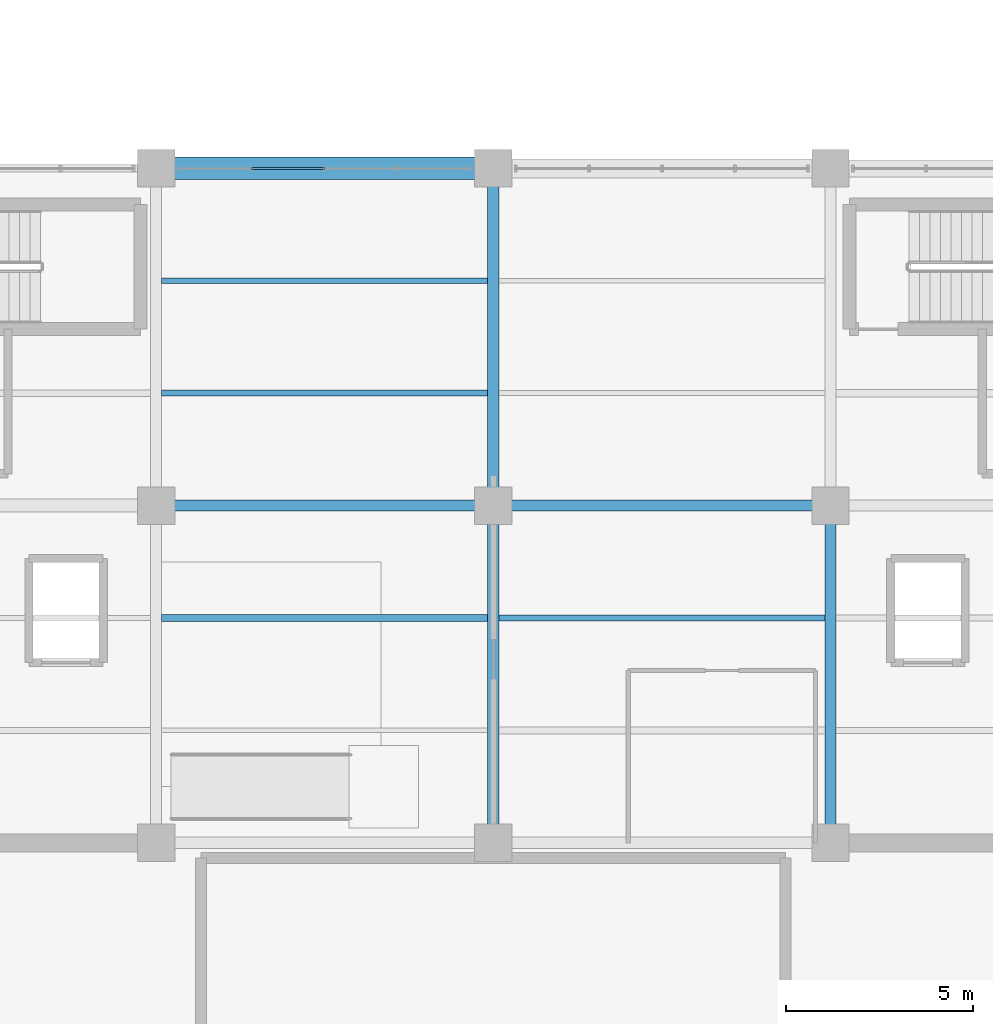
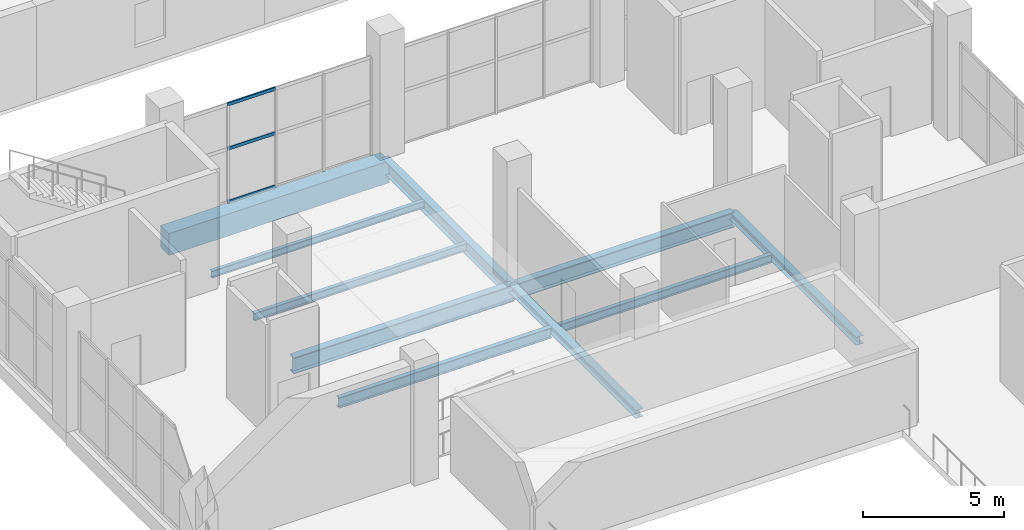
# One storey, part 52 of 147: 10 beams, 3 members, 1 element without a shape of its own.
"""IFC4 building model written with IfcOpenShell, lengths in metres."""

from ifc_helpers import new_model, si_unit, direction, frame, origin, origin_2d, place, context, subcontext, project, spatial, rectangle, hollow_rectangle, i_section, extrude, material, layer, layer_set, material_profile, profile_set, type_object, element, aggregate, save


model = new_model("IFC4")

# Units and contexts
model_context = context("Model", 3, precision=1e-05, world=origin(), true_north=direction((0.0, 1.0)))
body_context = subcontext(model_context, "Body", "Model", "MODEL_VIEW")
ifc_project = project(units=[si_unit("LENGTHUNIT", "METRE"), si_unit("AREAUNIT", "SQUARE_METRE"), si_unit("VOLUMEUNIT", "CUBIC_METRE"), si_unit("PLANEANGLEUNIT", "RADIAN"), si_unit("MASSUNIT", "GRAM", prefix="KILO")], contexts=[model_context])

# Site, building, storey
site_placement = place(None, origin())
site = spatial("IfcSite", under=ifc_project, at=site_placement, CompositionType="ELEMENT")
building_placement = place(site_placement, origin())
building = spatial("IfcBuilding", under=site, at=building_placement, Name="Sundgate Opera House", CompositionType="ELEMENT")
storey_placement = place(building_placement, frame((0.0, 0.0, 6.0)))
storey = spatial("IfcBuildingStorey", under=building, at=storey_placement, Name="L01", CompositionType="ELEMENT", Elevation=6.0)

# Beams
ifc_material_1 = material(Name="Steel S355J2", Category="steel")
ifc_material_profile_1 = material_profile(ifc_material_1, i_section(OverallWidth=0.300048828125, OverallDepth=0.35009765625, WebThickness=0.010009765625, FlangeThickness=0.017578125, at=origin_2d()), Name="HEA 360")
ifc_profile_set_1 = profile_set([ifc_material_profile_1], Name="Steel S355J2")
beam_type_1 = type_object("IfcBeamType", Name="BM-GR-HEA360", PredefinedType="BEAM", material=ifc_profile_set_1)
beam_1_placement = place(storey_placement, frame((63.0, 60.0, -0.47509765625), z_axis=(0.0, 1.0, 0.0), x_axis=(-1.0, 0.0, 0.0)))
element("IfcBeam", 1, at=beam_1_placement, inside=storey, type_object=beam_type_1, Name="L01 Primary N-S Girder B1128", PredefinedType="BEAM", context=body_context, shape_type="SweptSolid", body=[
    extrude(i_section(OverallWidth=0.300048828125, OverallDepth=0.35009765625, WebThickness=0.010009765625, FlangeThickness=0.017578125, at=origin_2d()), origin(), (0.0, 0.0, 1.0), 9.0),
])
ifc_material_2 = material(Name="Steel S355J2", Category="steel")
ifc_material_profile_2 = material_profile(ifc_material_2, i_section(OverallWidth=0.300048828125, OverallDepth=0.590087890625, WebThickness=0.012939453125, FlangeThickness=0.02490234375, at=origin_2d()), Name="HEA 600")
ifc_profile_set_2 = profile_set([ifc_material_profile_2], Name="Steel S355J2")
beam_type_2 = type_object("IfcBeamType", Name="BM-GR-HEA600", PredefinedType="BEAM", material=ifc_profile_set_2)
beam_2_placement = place(storey_placement, frame((54.0, 69.0, -0.594970703125), z_axis=(0.0, 1.0, 0.0), x_axis=(-1.0, 0.0, 0.0)))
element("IfcBeam", 2, at=beam_2_placement, inside=storey, type_object=beam_type_2, Name="L01 Primary N-S Girder B1124", PredefinedType="BEAM", context=body_context, shape_type="SweptSolid", body=[
    extrude(i_section(OverallWidth=0.300048828125, OverallDepth=0.590087890625, WebThickness=0.012939453125, FlangeThickness=0.02490234375, at=origin_2d()), origin(), (0.0, 0.0, 1.0), 9.0),
])
ifc_material_3 = material(Name="Steel S355J2", Category="steel")
ifc_material_profile_3 = material_profile(ifc_material_3, i_section(OverallWidth=0.300048828125, OverallDepth=0.360107421875, WebThickness=0.012451171875, FlangeThickness=0.0224609375, at=origin_2d()), Name="HEB 360")
ifc_profile_set_3 = profile_set([ifc_material_profile_3], Name="Steel S355J2")
beam_type_3 = type_object("IfcBeamType", Name="BM-GR-HEB360", PredefinedType="BEAM", material=ifc_profile_set_3)
beam_3_placement = place(storey_placement, frame((54.0, 60.0, -0.47998046875), z_axis=(0.0, 1.0, 0.0), x_axis=(-1.0, 0.0, 0.0)))
element("IfcBeam", 3, at=beam_3_placement, inside=storey, type_object=beam_type_3, Name="L01 Primary N-S Girder B1123", PredefinedType="BEAM", context=body_context, shape_type="SweptSolid", body=[
    extrude(i_section(OverallWidth=0.300048828125, OverallDepth=0.360107421875, WebThickness=0.012451171875, FlangeThickness=0.0224609375, at=origin_2d()), origin(), (0.0, 0.0, 1.0), 9.0),
])
ifc_material_4 = material(Name="Steel S355J2", Category="steel")
ifc_material_profile_4 = material_profile(ifc_material_4, i_section(OverallWidth=0.300048828125, OverallDepth=0.64990234375, WebThickness=0.01611328125, FlangeThickness=0.031005859375, at=origin_2d()), Name="HEB 650")
ifc_profile_set_4 = profile_set([ifc_material_profile_4], Name="Steel S355J2")
beam_type_4 = type_object("IfcBeamType", Name="BM-GR-HEB650", PredefinedType="BEAM", material=ifc_profile_set_4)
beam_4_placement = place(storey_placement, frame((54.0, 69.0, -0.625), z_axis=(1.0, 0.0, 0.0), x_axis=(0.0, 1.0, 0.0)))
element("IfcBeam", 4, at=beam_4_placement, inside=storey, type_object=beam_type_4, Name="L01 Primary E-W Girder B1359", PredefinedType="BEAM", context=body_context, shape_type="SweptSolid", body=[
    extrude(i_section(OverallWidth=0.300048828125, OverallDepth=0.64990234375, WebThickness=0.01611328125, FlangeThickness=0.031005859375, at=origin_2d()), origin(), (0.0, 0.0, 1.0), 9.0),
])
ifc_material_5 = material(Name="Steel S355J2", Category="steel")
ifc_material_profile_5 = material_profile(ifc_material_5, i_section(OverallWidth=0.300048828125, OverallDepth=0.699951171875, WebThickness=0.01708984375, FlangeThickness=0.031982421875, at=origin_2d()), Name="HEB 700")
ifc_profile_set_5 = profile_set([ifc_material_profile_5], Name="Steel S355J2")
beam_type_5 = type_object("IfcBeamType", Name="BM-GR-HEB700", PredefinedType="BEAM", material=ifc_profile_set_5)
beam_5_placement = place(storey_placement, frame((45.0, 69.0, -0.64990234375), z_axis=(1.0, 0.0, 0.0), x_axis=(0.0, 1.0, 0.0)))
element("IfcBeam", 5, at=beam_5_placement, inside=storey, type_object=beam_type_5, Name="L01 Primary E-W Girder B1358", PredefinedType="BEAM", context=body_context, shape_type="SweptSolid", body=[
    extrude(i_section(OverallWidth=0.300048828125, OverallDepth=0.699951171875, WebThickness=0.01708984375, FlangeThickness=0.031982421875, at=origin_2d()), origin(), (0.0, 0.0, 1.0), 9.0),
])
ifc_material_6 = material(Name="Steel S355J2", Category="steel")
ifc_material_profile_6 = material_profile(ifc_material_6, i_section(OverallWidth=0.14990234375, OverallDepth=0.300048828125, WebThickness=0.007080078125, FlangeThickness=0.0107421875, at=origin_2d()), Name="IPE 300")
ifc_profile_set_6 = profile_set([ifc_material_profile_6], Name="Steel S355J2")
beam_type_6 = type_object("IfcBeamType", Name="BM-JS-IPE300", PredefinedType="JOIST", material=ifc_profile_set_6)
beam_6_placement = place(storey_placement, frame((45.14990234375, 75.0, -0.449951171875), z_axis=(1.0, 0.0, 0.0), x_axis=(0.0, 1.0, 0.0)))
element("IfcBeam", 6, at=beam_6_placement, inside=storey, type_object=beam_type_6, Name="L01 Secondary Floor Joist B1614", PredefinedType="JOIST", context=body_context, shape_type="SweptSolid", body=[
    extrude(i_section(OverallWidth=0.14990234375, OverallDepth=0.300048828125, WebThickness=0.007080078125, FlangeThickness=0.0107421875, at=origin_2d()), origin(), (0.0, 0.0, 1.0), 8.7001953125),
])
ifc_material_7 = material(Name="Steel S355J2", Category="steel")
ifc_material_profile_7 = material_profile(ifc_material_7, i_section(OverallWidth=0.159912109375, OverallDepth=0.330078125, WebThickness=0.007568359375, FlangeThickness=0.011474609375, at=origin_2d()), Name="IPE 330")
ifc_profile_set_7 = profile_set([ifc_material_profile_7], Name="Steel S355J2")
beam_type_7 = type_object("IfcBeamType", Name="BM-JS-IPE330", PredefinedType="JOIST", material=ifc_profile_set_7)
beam_7_placement = place(storey_placement, frame((45.14990234375, 72.0, -0.465087890625), z_axis=(1.0, 0.0, 0.0), x_axis=(0.0, 1.0, 0.0)))
element("IfcBeam", 7, at=beam_7_placement, inside=storey, type_object=beam_type_7, Name="L01 Secondary Floor Joist B1613", PredefinedType="JOIST", context=body_context, shape_type="SweptSolid", body=[
    extrude(i_section(OverallWidth=0.159912109375, OverallDepth=0.330078125, WebThickness=0.007568359375, FlangeThickness=0.011474609375, at=origin_2d()), origin(), (0.0, 0.0, 1.0), 8.7001953125),
])
ifc_material_8 = material(Name="Steel S355J2", Category="steel")
ifc_material_profile_8 = material_profile(ifc_material_8, i_section(OverallWidth=0.169921875, OverallDepth=0.360107421875, WebThickness=0.008056640625, FlangeThickness=0.0126953125, at=origin_2d()), Name="IPE 360")
ifc_profile_set_8 = profile_set([ifc_material_profile_8], Name="Steel S355J2")
beam_type_8 = type_object("IfcBeamType", Name="BM-JS-IPE360", PredefinedType="JOIST", material=ifc_profile_set_8)
beam_8_placement = place(storey_placement, frame((54.14990234375, 66.0, -0.47998046875), z_axis=(1.0, 0.0, 0.0), x_axis=(0.0, 1.0, 0.0)))
element("IfcBeam", 8, at=beam_8_placement, inside=storey, type_object=beam_type_8, Name="L01 Secondary Floor Joist B1591", PredefinedType="JOIST", context=body_context, shape_type="SweptSolid", body=[
    extrude(i_section(OverallWidth=0.169921875, OverallDepth=0.360107421875, WebThickness=0.008056640625, FlangeThickness=0.0126953125, at=origin_2d()), origin(), (0.0, 0.0, 1.0), 8.7001953125),
])
ifc_material_9 = material(Name="Steel S355J2", Category="steel")
ifc_material_profile_9 = material_profile(ifc_material_9, i_section(OverallWidth=0.18994140625, OverallDepth=0.449951171875, WebThickness=0.009521484375, FlangeThickness=0.0146484375, at=origin_2d()), Name="IPE 450")
ifc_profile_set_9 = profile_set([ifc_material_profile_9], Name="Steel S355J2")
beam_type_9 = type_object("IfcBeamType", Name="BM-JS-IPE450", PredefinedType="JOIST", material=ifc_profile_set_9)
beam_9_placement = place(storey_placement, frame((45.14990234375, 66.0, -0.52490234375), z_axis=(1.0, 0.0, 0.0), x_axis=(0.0, 1.0, 0.0)))
element("IfcBeam", 9, at=beam_9_placement, inside=storey, type_object=beam_type_9, Name="L01 Secondary Floor Joist B1589", PredefinedType="JOIST", context=body_context, shape_type="SweptSolid", body=[
    extrude(i_section(OverallWidth=0.18994140625, OverallDepth=0.449951171875, WebThickness=0.009521484375, FlangeThickness=0.0146484375, at=origin_2d()), origin(), (0.0, 0.0, 1.0), 8.7001953125),
])
ifc_material_10 = material(Name="Concrete C40/50", Category="concrete")
ifc_material_profile_10 = material_profile(ifc_material_10, rectangle(XDim=0.60009765625, YDim=0.949951171875, at=origin_2d()), Name="RC 600x950")
ifc_profile_set_10 = profile_set([ifc_material_profile_10], Name="Concrete C40/50")
beam_type_10 = type_object("IfcBeamType", Name="BM-RC-600x950", PredefinedType="BEAM", material=ifc_profile_set_10)
beam_10_placement = place(storey_placement, frame((45.0, 78.0, -0.77490234375), z_axis=(1.0, 0.0, 0.0), x_axis=(0.0, 1.0, 0.0)))
element("IfcBeam", 10, at=beam_10_placement, inside=storey, type_object=beam_type_10, Name="L01 Primary E-W Girder B1375", PredefinedType="BEAM", context=body_context, shape_type="SweptSolid", body=[
    extrude(rectangle(XDim=0.60009765625, YDim=0.949951171875, at=origin_2d()), origin(), (0.0, 0.0, 1.0), 9.0),
])

# Curtain wall, members
ifc_material_11 = material(Name="Anodized aluminium and low-iron glass", Category="aluminium")
ifc_layer = layer(ifc_material_11, 0.179931640625)
ifc_layer_set = layer_set([ifc_layer], Name="Anodized aluminium and low-iron glass")
curtain_wall_type = type_object("IfcCurtainWallType", Name="CW-FOYER-GLASS", PredefinedType="NOTDEFINED", material=ifc_layer_set)
curtain_wall_placement = place(storey_placement, origin())
curtain_wall = element("IfcCurtainWall", 11, at=curtain_wall_placement, inside=storey, type_object=curtain_wall_type, Name="L01 Curtain Wall CW016", PredefinedType="NOTDEFINED")
ifc_material_12 = material(Name="Anodized aluminium EN AW-6063", Category="aluminium")
ifc_material_profile_11 = material_profile(ifc_material_12, hollow_rectangle(XDim=0.06005859375, YDim=0.139892578125, WallThickness=0.00390625, at=origin_2d()), Name="CWT 140x60x4")
ifc_profile_set_11 = profile_set([ifc_material_profile_11], Name="Anodized aluminium EN AW-6063")
member_type = type_object("IfcMemberType", Name="CWT-ALU-140x60", PredefinedType="USERDEFINED", material=ifc_profile_set_11)
member_1_placement = place(storey_placement, frame((47.550048828125, 78.0, 0.0), z_axis=(1.0, 0.0, 0.0), x_axis=(0.0, 1.0, 0.0)))
member_1 = element("IfcMember", 12, at=member_1_placement, type_object=member_type, Name="CW016 Transom 4", ObjectType="TRANSOM", PredefinedType="USERDEFINED", context=body_context, shape_type="SweptSolid", body=[
    extrude(hollow_rectangle(XDim=0.06005859375, YDim=0.139892578125, WallThickness=0.00390625, at=origin_2d()), origin(), (0.0, 0.0, 1.0), 1.949951171875),
])
member_2_placement = place(storey_placement, frame((47.550048828125, 78.0, 2.300048828125), z_axis=(1.0, 0.0, 0.0), x_axis=(0.0, 1.0, 0.0)))
member_2 = element("IfcMember", 13, at=member_2_placement, type_object=member_type, Name="CW016 Transom 5", ObjectType="TRANSOM", PredefinedType="USERDEFINED", context=body_context, shape_type="SweptSolid", body=[
    extrude(hollow_rectangle(XDim=0.06005859375, YDim=0.139892578125, WallThickness=0.00390625, at=origin_2d()), origin(), (0.0, 0.0, 1.0), 1.949951171875),
])
member_3_placement = place(storey_placement, frame((47.550048828125, 78.0, 4.215087890625), z_axis=(1.0, 0.0, 0.0), x_axis=(0.0, 1.0, 0.0)))
member_3 = element("IfcMember", 14, at=member_3_placement, type_object=member_type, Name="CW016 Transom 6", ObjectType="TRANSOM", PredefinedType="USERDEFINED", context=body_context, shape_type="SweptSolid", body=[
    extrude(hollow_rectangle(XDim=0.06005859375, YDim=0.139892578125, WallThickness=0.00390625, at=origin_2d()), origin(), (0.0, 0.0, 1.0), 1.949951171875),
])
aggregate(curtain_wall, [member_1, member_2, member_3])

save(model, "model.ifc")
